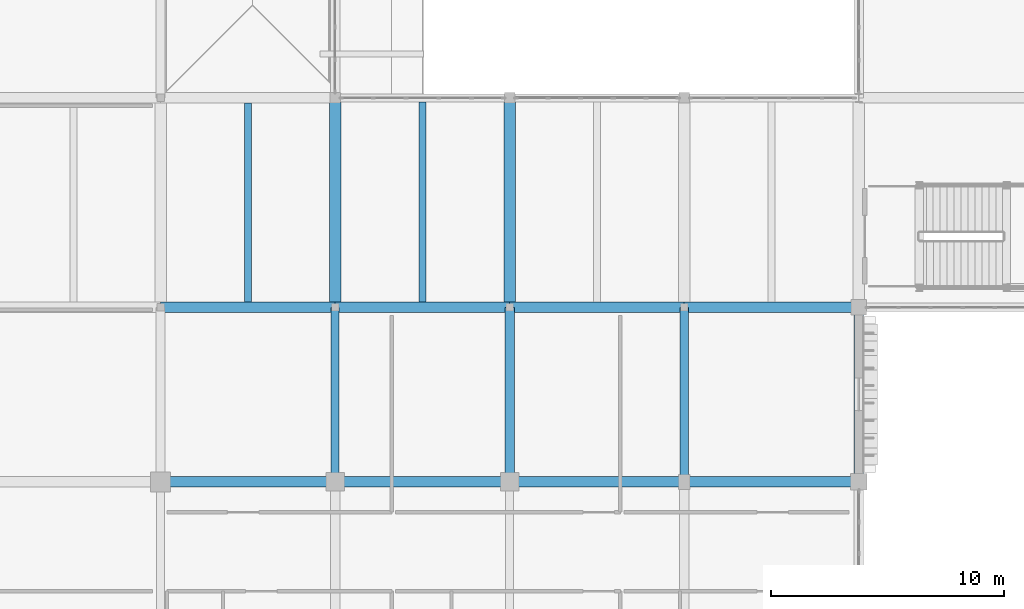
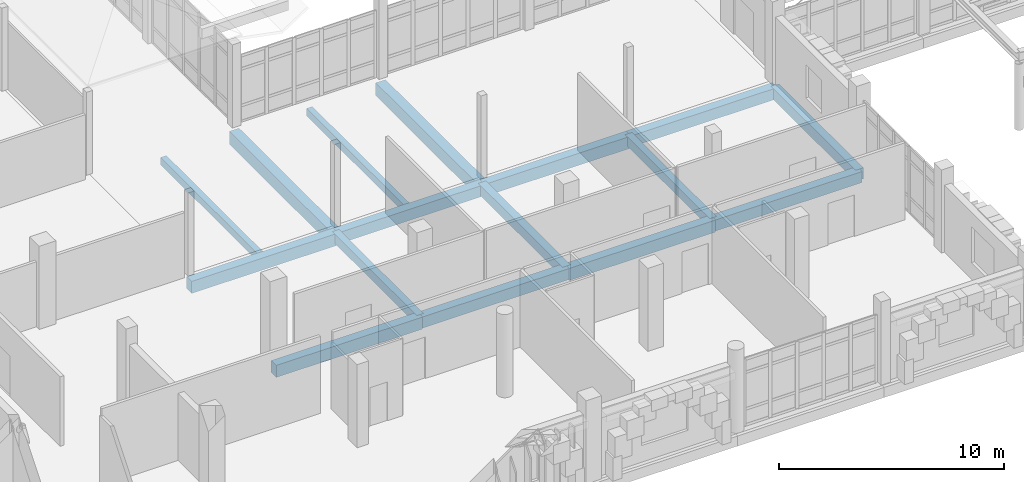
# One storey, part 17 of 128: 16 beams.
"""IFC4 building model written with IfcOpenShell, lengths in metres."""

from ifc_helpers import new_model, si_unit, direction, frame, origin, origin_2d, place, context, subcontext, project, spatial, rectangle, extrude, material, material_profile, profile_set, type_object, element, save


model = new_model("IFC4")

# Units and contexts
model_context = context("Model", 3, precision=1e-05, world=origin(), true_north=direction((0.0, 1.0)))
body_context = subcontext(model_context, "Body", "Model", "MODEL_VIEW")
ifc_project = project(units=[si_unit("LENGTHUNIT", "METRE"), si_unit("AREAUNIT", "SQUARE_METRE"), si_unit("VOLUMEUNIT", "CUBIC_METRE"), si_unit("PLANEANGLEUNIT", "RADIAN"), si_unit("MASSUNIT", "GRAM", prefix="KILO")], contexts=[model_context])

# Site, building, storey
site_placement = place(None, origin())
site = spatial("IfcSite", under=ifc_project, at=site_placement, CompositionType="ELEMENT")
building_placement = place(site_placement, origin())
building = spatial("IfcBuilding", under=site, at=building_placement, Name="Dalvernix Boulevard General Hospital", CompositionType="ELEMENT")
storey_placement = place(building_placement, frame((0.0, 0.0, 4.800048828125)))
storey = spatial("IfcBuildingStorey", under=building, at=storey_placement, Name="L01", CompositionType="ELEMENT", Elevation=4.800048828125)

# Beams
ifc_material = material(Name="Concrete C35/45", Category="concrete")
ifc_material_profile_1 = material_profile(ifc_material, rectangle(XDim=0.5, YDim=0.699951171875, at=origin_2d()), Name="RCB 500x700")
ifc_profile_set_1 = profile_set([ifc_material_profile_1], Name="Concrete C35/45")
beam_type_1 = type_object("IfcBeamType", Name="BM-B-01-I", PredefinedType="BEAM", material=ifc_profile_set_1)
for number, where, z_axis, x_axis, name in (
    (1, (37.5, 22.5, -0.650146484375), (0.0, 1.0, 0.0), (-1.0, 0.0, 0.0), "L01 N-S girder 6:D-E"),
    (2, (45.0, 22.5, -0.650146484375), (0.0, 1.0, 0.0), (-1.0, 0.0, 0.0), "L01 N-S girder 7:D-E"),
):
    element("IfcBeam", number, at=place(storey_placement, frame(where, z_axis=z_axis, x_axis=x_axis)), inside=storey, type_object=beam_type_1, Name=name, PredefinedType="BEAM", context=body_context, shape_type="SweptSolid", body=[
        extrude(rectangle(XDim=0.5, YDim=0.699951171875, at=origin_2d()), origin(), (0.0, 0.0, 1.0), 9.0),
    ])
ifc_material_profile_2 = material_profile(ifc_material, rectangle(XDim=0.449951171875, YDim=0.64990234375, at=origin_2d()), Name="RCB 450x650")
ifc_profile_set_2 = profile_set([ifc_material_profile_2], Name="Concrete C35/45")
beam_type_2 = type_object("IfcBeamType", Name="BM-B-03-I", PredefinedType="BEAM", material=ifc_profile_set_2)
for number, where, z_axis, x_axis, name in (
    (3, (30.0, 15.0, -0.625), (1.0, 0.0, 0.0), (0.0, 1.0, 0.0), "L01 E-W girder C:5-6"),
    (4, (45.0, 15.0, -0.625), (1.0, 0.0, 0.0), (0.0, 1.0, 0.0), "L01 E-W girder C:7-8"),
    (5, (30.0, 22.5, -0.625), (1.0, 0.0, 0.0), (0.0, 1.0, 0.0), "L01 E-W girder D:5-6"),
    (6, (45.0, 22.5, -0.625), (1.0, 0.0, 0.0), (0.0, 1.0, 0.0), "L01 E-W girder D:7-8"),
):
    element("IfcBeam", number, at=place(storey_placement, frame(where, z_axis=z_axis, x_axis=x_axis)), inside=storey, type_object=beam_type_2, Name=name, PredefinedType="BEAM", context=body_context, shape_type="SweptSolid", body=[
        extrude(rectangle(XDim=0.449951171875, YDim=0.64990234375, at=origin_2d()), origin(), (0.0, 0.0, 1.0), 7.5),
    ])
ifc_material_profile_3 = material_profile(ifc_material, rectangle(XDim=0.449951171875, YDim=0.60009765625, at=origin_2d()), Name="RCB 450x600")
ifc_profile_set_3 = profile_set([ifc_material_profile_3], Name="Concrete C35/45")
beam_type_3 = type_object("IfcBeamType", Name="BM-B-04-I", PredefinedType="BEAM", material=ifc_profile_set_3)
for number, where, z_axis, x_axis, name in (
    (7, (37.5, 15.0, -0.60009765625), (1.0, 0.0, 0.0), (0.0, 1.0, 0.0), "L01 E-W girder C:6-7"),
    (8, (52.5, 15.0, -0.60009765625), (1.0, 0.0, 0.0), (0.0, 1.0, 0.0), "L01 E-W girder C:8-9"),
    (9, (37.5, 22.5, -0.60009765625), (1.0, 0.0, 0.0), (0.0, 1.0, 0.0), "L01 E-W girder D:6-7"),
    (10, (52.5, 22.5, -0.60009765625), (1.0, 0.0, 0.0), (0.0, 1.0, 0.0), "L01 E-W girder D:8-9"),
):
    element("IfcBeam", number, at=place(storey_placement, frame(where, z_axis=z_axis, x_axis=x_axis)), inside=storey, type_object=beam_type_3, Name=name, PredefinedType="BEAM", context=body_context, shape_type="SweptSolid", body=[
        extrude(rectangle(XDim=0.449951171875, YDim=0.60009765625, at=origin_2d()), origin(), (0.0, 0.0, 1.0), 7.5),
    ])
ifc_material_profile_4 = material_profile(ifc_material, rectangle(XDim=0.39990234375, YDim=0.550048828125, at=origin_2d()), Name="RCB 400x550")
ifc_profile_set_4 = profile_set([ifc_material_profile_4], Name="Concrete C35/45")
beam_type_4 = type_object("IfcBeamType", Name="BM-B-06-I", PredefinedType="BEAM", material=ifc_profile_set_4)
beam_1_placement = place(storey_placement, frame((45.0, 15.0, -0.574951171875), z_axis=(0.0, 1.0, 0.0), x_axis=(-1.0, 0.0, 0.0)))
element("IfcBeam", 11, at=beam_1_placement, inside=storey, type_object=beam_type_4, Name="L01 N-S girder 7:C-D", PredefinedType="BEAM", context=body_context, shape_type="SweptSolid", body=[
    extrude(rectangle(XDim=0.39990234375, YDim=0.550048828125, at=origin_2d()), origin(), (0.0, 0.0, 1.0), 7.5),
])
ifc_material_profile_5 = material_profile(ifc_material, rectangle(XDim=0.35009765625, YDim=0.5, at=origin_2d()), Name="RCB 350x500")
ifc_profile_set_5 = profile_set([ifc_material_profile_5], Name="Concrete C35/45")
beam_type_5 = type_object("IfcBeamType", Name="BM-B-08-I", PredefinedType="BEAM", material=ifc_profile_set_5)
for number, where, z_axis, x_axis, name in (
    (12, (37.5, 15.0, -0.550048828125), (0.0, 1.0, 0.0), (-1.0, 0.0, 0.0), "L01 N-S girder 6:C-D"),
    (13, (52.5, 15.0, -0.550048828125), (0.0, 1.0, 0.0), (-1.0, 0.0, 0.0), "L01 N-S girder 8:C-D"),
):
    element("IfcBeam", number, at=place(storey_placement, frame(where, z_axis=z_axis, x_axis=x_axis)), inside=storey, type_object=beam_type_5, Name=name, PredefinedType="BEAM", context=body_context, shape_type="SweptSolid", body=[
        extrude(rectangle(XDim=0.35009765625, YDim=0.5, at=origin_2d()), origin(), (0.0, 0.0, 1.0), 7.5),
    ])
ifc_material_profile_6 = material_profile(ifc_material, rectangle(XDim=0.300048828125, YDim=0.39990234375, at=origin_2d()), Name="RCB 300x400")
ifc_profile_set_6 = profile_set([ifc_material_profile_6], Name="Concrete C35/45")
beam_type_6 = type_object("IfcBeamType", Name="BM-JB-01", PredefinedType="JOIST", material=ifc_profile_set_6)
beam_2_placement = place(storey_placement, frame((33.75, 22.72509765625, -0.5), z_axis=(0.0, 1.0, 0.0), x_axis=(-1.0, 0.0, 0.0)))
element("IfcBeam", 14, at=beam_2_placement, inside=storey, type_object=beam_type_6, Name="L01 secondary floor beam 5-D", PredefinedType="JOIST", context=body_context, shape_type="SweptSolid", body=[
    extrude(rectangle(XDim=0.300048828125, YDim=0.39990234375, at=origin_2d()), origin(), (0.0, 0.0, 1.0), 8.5498046875),
])
beam_3_placement = place(storey_placement, frame((41.25, 22.72509765625, -0.5), z_axis=(0.0, 1.0, 0.0), x_axis=(-1.0, 0.0, 0.0)))
element("IfcBeam", 15, at=beam_3_placement, inside=storey, type_object=beam_type_6, Name="L01 secondary floor beam 6-D", PredefinedType="JOIST", context=body_context, shape_type="SweptSolid", body=[
    extrude(rectangle(XDim=0.300048828125, YDim=0.39990234375, at=origin_2d()), origin(), (0.0, 0.0, 1.0), 8.599853515625),
])
ifc_material_profile_7 = material_profile(ifc_material, rectangle(XDim=0.39990234375, YDim=0.60009765625, at=origin_2d()), Name="RCB 400x600")
ifc_profile_set_7 = profile_set([ifc_material_profile_7], Name="Concrete C35/45")
beam_type_7 = type_object("IfcBeamType", Name="BM-SB-02-E", PredefinedType="SPANDREL", material=ifc_profile_set_7)
beam_4_placement = place(storey_placement, frame((60.0, 15.0, -0.60009765625), z_axis=(0.0, 1.0, 0.0), x_axis=(-1.0, 0.0, 0.0)))
element("IfcBeam", 16, at=beam_4_placement, inside=storey, type_object=beam_type_7, Name="L01 N-S girder 9:C-D", PredefinedType="SPANDREL", context=body_context, shape_type="SweptSolid", body=[
    extrude(rectangle(XDim=0.39990234375, YDim=0.60009765625, at=origin_2d()), origin(), (0.0, 0.0, 1.0), 7.5),
])

save(model, "model.ifc")
